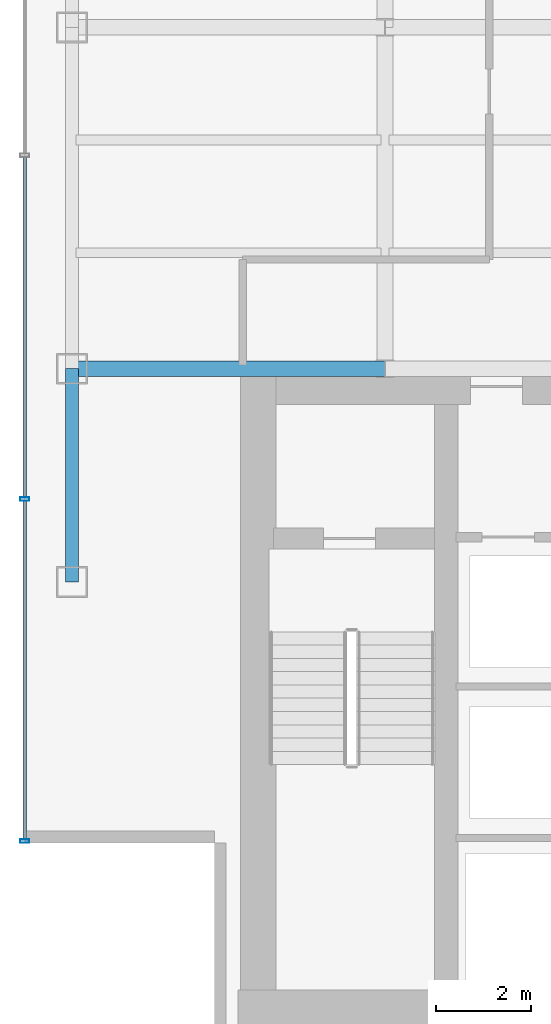
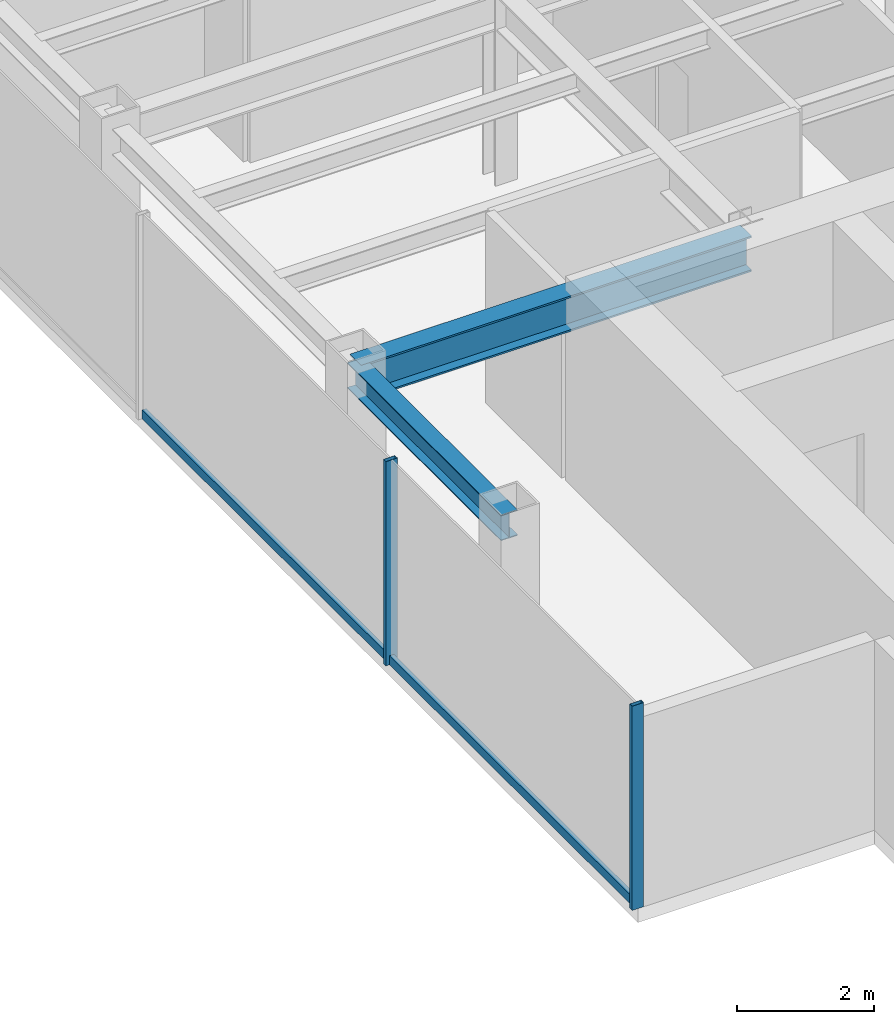
# One storey, part 3 of 25: 4 members, 2 beams, 1 element without a shape of its own.
"""IFC4 building model written with IfcOpenShell, lengths in metres."""

from ifc_helpers import new_model, si_unit, derived_unit, direction, frame, origin, origin_2d, place, context, subcontext, project, spatial, hollow_rectangle, i_section, extrude, source, transform, mapped, material, material_profile, profile_set, type_object, element, aggregate, save


model = new_model("IFC4")

# Units and contexts
model_context = context("Model", 3, precision=1e-05, world=origin(), true_north=direction((0.0, 1.0)))
body_context = subcontext(model_context, "Body", "Model", "MODEL_VIEW")
ifc_project = project(units=[si_unit("LENGTHUNIT", "METRE"), si_unit("AREAUNIT", "SQUARE_METRE"), si_unit("VOLUMEUNIT", "CUBIC_METRE"), si_unit("PLANEANGLEUNIT", "RADIAN"), si_unit("MASSUNIT", "GRAM", prefix="KILO"), derived_unit("THERMALTRANSMITTANCEUNIT", [(si_unit("POWERUNIT", "WATT"), 1), (si_unit("LENGTHUNIT", "METRE"), -2), (si_unit("THERMODYNAMICTEMPERATUREUNIT", "KELVIN"), -1)])], contexts=[model_context])

# Site, building, storey
site_placement = place(None, origin())
site = spatial("IfcSite", under=ifc_project, at=site_placement, CompositionType="ELEMENT")
building_placement = place(site_placement, origin())
building = spatial("IfcBuilding", under=site, at=building_placement, Name="Skarnbrae Concourse Arena and Tower", CompositionType="ELEMENT")
storey_placement = place(building_placement, frame((0.0, 0.0, 169.800048828125)))
storey = spatial("IfcBuildingStorey", under=building, at=storey_placement, Name="L43", CompositionType="ELEMENT", Elevation=169.800048828125)

# Beams
ifc_material_1 = material(Name="Steel CSA G40.21 350W", Category="steel")
ifc_material_profile_1 = material_profile(ifc_material_1, i_section(OverallWidth=0.3291015625, OverallDepth=0.635009765625, WebThickness=0.017822265625, FlangeThickness=0.031005859375, at=origin_2d()), Name="W610X241")
ifc_profile_set_1 = profile_set([ifc_material_profile_1], Name="Steel CSA G40.21 350W")
beam_type_1 = type_object("IfcBeamType", Name="BM-GIRD-W610X241", PredefinedType="BEAM", material=ifc_profile_set_1)
shared_shape_1 = source(origin(), body_context, "Body", "SweptSolid", [
    extrude(i_section(OverallWidth=0.3291015625, OverallDepth=0.635009765625, WebThickness=0.017822265625, FlangeThickness=0.031005859375, at=origin_2d()), origin(), (0.0, 0.0, 1.0), 6.60009765625),
])
beam_1_placement = place(storey_placement, frame((1.0, 14.0, 3.08251953125), z_axis=(1.0, 0.0, 0.0), x_axis=(0.0, 1.0, 0.0)))
element("IfcBeam", 1, at=beam_1_placement, inside=storey, type_object=beam_type_1, Name="L43 Primary E-W girder Y14.0-1", PredefinedType="BEAM", context=body_context, shape_type="MappedRepresentation", body=[
    mapped(shared_shape_1, transform((0.0, 0.0, 0.0))),
])
ifc_material_profile_2 = material_profile(ifc_material_1, i_section(OverallWidth=0.280029296875, OverallDepth=0.462890625, WebThickness=0.0107421875, FlangeThickness=0.017333984375, at=origin_2d()), Name="W460X113")
ifc_profile_set_2 = profile_set([ifc_material_profile_2], Name="Steel CSA G40.21 350W")
beam_type_2 = type_object("IfcBeamType", Name="BM-SPAN-W460X113", PredefinedType="SPANDREL", material=ifc_profile_set_2)
shared_shape_2 = source(origin(), body_context, "Body", "SweptSolid", [
    extrude(i_section(OverallWidth=0.280029296875, OverallDepth=0.462890625, WebThickness=0.0107421875, FlangeThickness=0.017333984375, at=origin_2d()), origin(), (0.0, 0.0, 1.0), 4.5),
])
beam_2_placement = place(storey_placement, frame((1.0, 9.5, 3.16845703125), z_axis=(0.0, 1.0, 0.0), x_axis=(-1.0, 0.0, 0.0)))
element("IfcBeam", 2, at=beam_2_placement, inside=storey, type_object=beam_type_2, Name="L43 Perimeter spandrel X1.0-1", PredefinedType="SPANDREL", context=body_context, shape_type="MappedRepresentation", body=[
    mapped(shared_shape_2, transform((0.0, 0.0, 0.0))),
])

# Curtain wall, members
ifc_material_2 = material(Name="Bronze anodised aluminium 6063-T6", Category="aluminium")
curtain_wall_type = type_object("IfcCurtainWallType", Name="CW-SYS-04-MIDZONE", PredefinedType="USERDEFINED", material=ifc_material_2)
curtain_wall_placement = place(storey_placement, origin())
curtain_wall = element("IfcCurtainWall", 3, at=curtain_wall_placement, inside=storey, type_object=curtain_wall_type, Name="L43 Unitised curtain wall CW-L43-E18", ObjectType="UNITISED CURTAIN WALL", PredefinedType="USERDEFINED")
ifc_material_profile_3 = material_profile(ifc_material_2, hollow_rectangle(XDim=0.074951171875, YDim=0.195068359375, WallThickness=0.00439453125, at=origin_2d()), Name="ALU-MULL-75X195")
ifc_profile_set_3 = profile_set([ifc_material_profile_3], Name="Bronze anodised aluminium 6063-T6")
member_type_1 = type_object("IfcMemberType", Name="CWM-CW-04", PredefinedType="MULLION", material=ifc_profile_set_3)
shared_shape_3 = source(origin(), body_context, "Body", "SweptSolid", [
    extrude(hollow_rectangle(XDim=0.074951171875, YDim=0.195068359375, WallThickness=0.00439453125, at=origin_2d()), origin(), (0.0, 0.0, 1.0), 3.64990234375),
])
member_1_placement = place(storey_placement, frame((0.0, 11.25, 0.0), z_axis=(0.0, 0.0, 1.0), x_axis=(0.0, -1.0, 0.0)))
member_1 = element("IfcMember", 4, at=member_1_placement, type_object=member_type_1, Name="CW-L43-E18 Mullion 4", PredefinedType="MULLION", context=body_context, shape_type="MappedRepresentation", body=[
    mapped(shared_shape_3, transform((0.0, 0.0, 0.0))),
])
member_2_placement = place(storey_placement, frame((0.0, 4.03759765625, 0.0), z_axis=(0.0, 0.0, 1.0), x_axis=(0.0, -1.0, 0.0)))
member_2 = element("IfcMember", 5, at=member_2_placement, type_object=member_type_1, Name="CW-L43-E18 Mullion 5", PredefinedType="MULLION", context=body_context, shape_type="MappedRepresentation", body=[
    mapped(shared_shape_3, transform((0.0, 0.0, 0.0))),
])
ifc_material_profile_4 = material_profile(ifc_material_2, hollow_rectangle(XDim=0.074951171875, YDim=0.159912109375, WallThickness=0.00439453125, at=origin_2d()), Name="ALU-TRAN-75X160")
ifc_profile_set_4 = profile_set([ifc_material_profile_4], Name="Bronze anodised aluminium 6063-T6")
member_type_2 = type_object("IfcMemberType", Name="CWT-CW-04", PredefinedType="USERDEFINED", material=ifc_profile_set_4)
shared_shape_4 = source(origin(), body_context, "Body", "SweptSolid", [
    extrude(hollow_rectangle(XDim=0.074951171875, YDim=0.159912109375, WallThickness=0.00439453125, at=origin_2d()), origin(), (0.0, 0.0, 1.0), 7.137451171875),
])
member_3_placement = place(storey_placement, frame((0.0, 11.21240234375, 0.079833984375), z_axis=(0.0, -1.0, 0.0), x_axis=(1.0, 0.0, 0.0)))
member_3 = element("IfcMember", 6, at=member_3_placement, type_object=member_type_2, Name="CW-L43-E18 Transom 4", ObjectType="TRANSOM", PredefinedType="USERDEFINED", context=body_context, shape_type="MappedRepresentation", body=[
    mapped(shared_shape_4, transform((0.0, 0.0, 0.0))),
])
shared_shape_5 = source(origin(), body_context, "Body", "SweptSolid", [
    extrude(hollow_rectangle(XDim=0.074951171875, YDim=0.159912109375, WallThickness=0.00439453125, at=origin_2d()), origin(), (0.0, 0.0, 1.0), 7.1748046875),
])
member_4_placement = place(storey_placement, frame((0.0, 18.46240234375, 0.079833984375), z_axis=(0.0, -1.0, 0.0), x_axis=(1.0, 0.0, 0.0)))
member_4 = element("IfcMember", 7, at=member_4_placement, type_object=member_type_2, Name="CW-L43-E18 Transom 3", ObjectType="TRANSOM", PredefinedType="USERDEFINED", context=body_context, shape_type="MappedRepresentation", body=[
    mapped(shared_shape_5, transform((0.0, 0.0, 0.0))),
])
aggregate(curtain_wall, [member_1, member_2, member_4, member_3])

save(model, "model.ifc")
